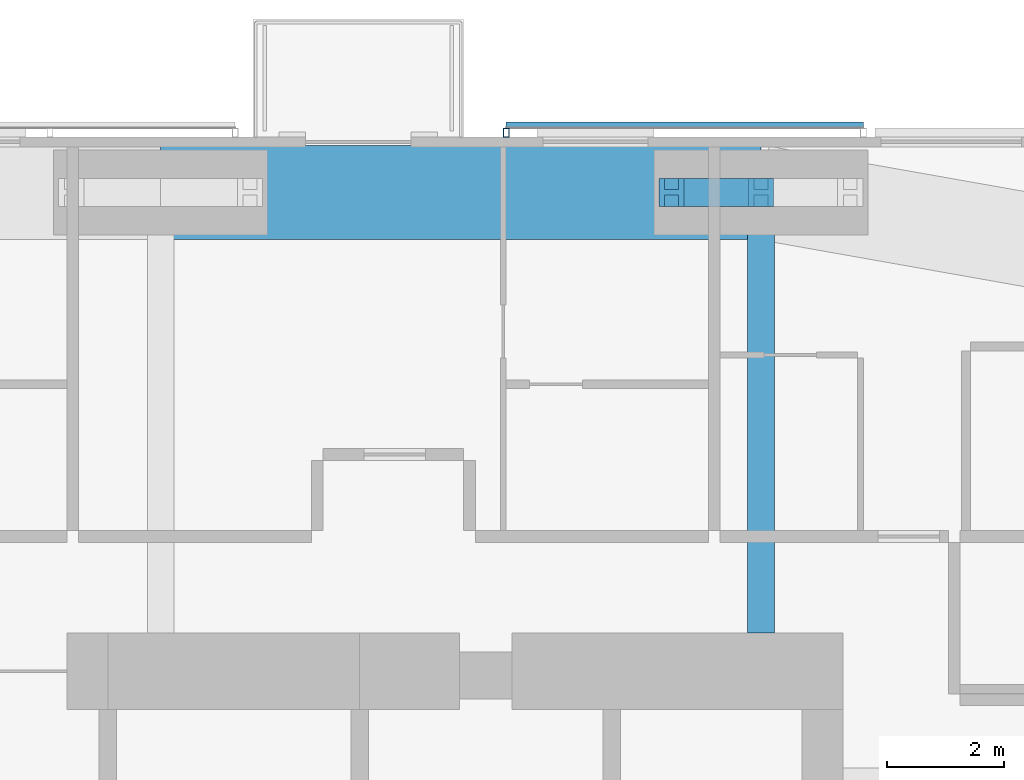
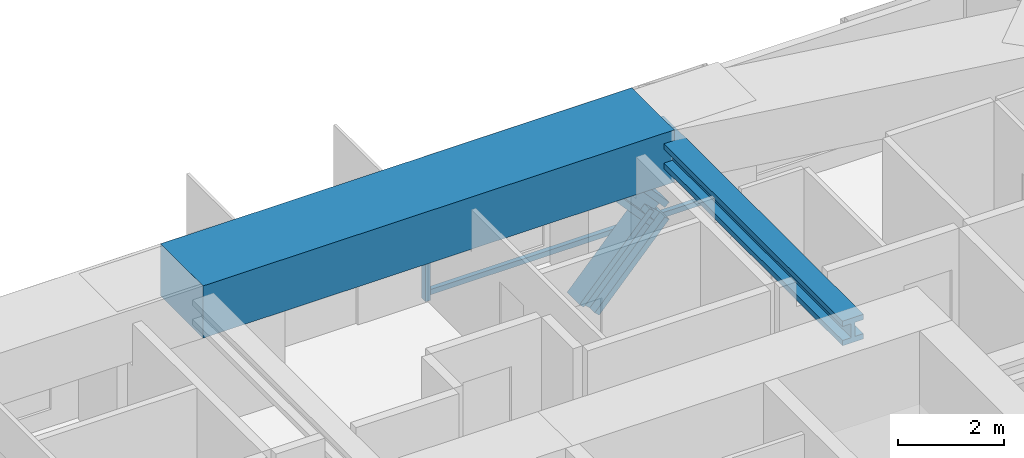
# One storey, part 13 of 23: 4 members, 2 beams, 1 element without a shape of its own.
"""IFC4 building model written with IfcOpenShell, lengths in metres."""

from ifc_helpers import new_model, si_unit, direction, frame, origin, origin_2d, place, context, subcontext, project, spatial, rectangle, hollow_rectangle, i_section, extrude, material, material_profile, profile_set, type_object, element, aggregate, save


model = new_model("IFC4")

# Units and contexts
model_context = context("Model", 3, precision=1e-05, world=origin(), true_north=direction((0.0, 1.0)))
body_context = subcontext(model_context, "Body", "Model", "MODEL_VIEW")
ifc_project = project(units=[si_unit("LENGTHUNIT", "METRE"), si_unit("AREAUNIT", "SQUARE_METRE"), si_unit("VOLUMEUNIT", "CUBIC_METRE"), si_unit("PLANEANGLEUNIT", "RADIAN"), si_unit("MASSUNIT", "GRAM", prefix="KILO")], contexts=[model_context])

# Site, building, storey
site_placement = place(None, origin())
site = spatial("IfcSite", under=ifc_project, at=site_placement, CompositionType="ELEMENT")
building_placement = place(site_placement, origin())
building = spatial("IfcBuilding", under=site, at=building_placement, Name="Jalousie Tower", CompositionType="ELEMENT")
storey_placement = place(building_placement, frame((0.0, 0.0, 191.199951171875)))
storey = spatial("IfcBuildingStorey", under=building, at=storey_placement, Name="L52", CompositionType="ELEMENT", Elevation=191.199951171875)

# Beam
ifc_material_1 = material(Name="Steel ASTM A992 Grade 50", Category="steel")
ifc_material_profile_1 = material_profile(ifc_material_1, i_section(OverallWidth=0.45458984375, OverallDepth=0.569091796875, WebThickness=0.077880859375, FlangeThickness=0.124755859375, at=origin_2d()), Name="W14X730")
ifc_profile_set_1 = profile_set([ifc_material_profile_1], Name="Steel ASTM A992 Grade 50")
beam_type_1 = type_object("IfcBeamType", Name="LEAN COLLECTOR W14X730", PredefinedType="BEAM", material=ifc_profile_set_1)
beam_1_placement = place(storey_placement, frame((42.75, 35.050048828125, 2.825439453125), z_axis=(0.0, -1.0, 0.0), x_axis=(1.0, 0.0, 0.0)))
element("IfcBeam", 1, at=beam_1_placement, inside=storey, type_object=beam_type_1, Name="Lean collector under L53", PredefinedType="BEAM", context=body_context, shape_type="SweptSolid", body=[
    extrude(i_section(OverallWidth=0.45458984375, OverallDepth=0.569091796875, WebThickness=0.077880859375, FlangeThickness=0.124755859375, at=origin_2d()), origin(), (0.0, 0.0, 1.0), 7.525146484375),
])

# Members
ifc_material_2 = material(Name="Steel ASTM A992 Grade 50", Category="steel")
ifc_material_profile_2 = material_profile(ifc_material_2, i_section(OverallWidth=0.472412109375, OverallDepth=0.5791015625, WebThickness=0.094970703125, FlangeThickness=0.1298828125, at=origin_2d()), Name="W14X808")
ifc_profile_set_2 = profile_set([ifc_material_profile_2], Name="Steel ASTM A992 Grade 50")
member_type_1 = type_object("IfcMemberType", Name="PERIMETER BRACE W14X808", PredefinedType="BRACE", material=ifc_profile_set_2)
for number, where, z_axis, x_axis, name in (
    (2, (41.22509765625, 35.050048828125, -0.599853515625), (0.673241284601, 0.0, 0.739422864611), (0.0, 1.0, 0.0), "Perimeter brace 09 L52 part 1"),
    (3, (42.75, 35.050048828125, 1.074951171875), (-0.673187629365, 0.0, 0.739471713908), (0.0, -1.0, 0.0), "Perimeter brace 09 L52 part 4"),
):
    element("IfcMember", number, at=place(storey_placement, frame(where, z_axis=z_axis, x_axis=x_axis)), inside=storey, type_object=member_type_1, Name=name, PredefinedType="BRACE", context=body_context, shape_type="SweptSolid", body=[
        extrude(i_section(OverallWidth=0.472412109375, OverallDepth=0.5791015625, WebThickness=0.094970703125, FlangeThickness=0.1298828125, at=origin_2d()), origin(), (0.0, 0.0, 1.0), 2.26513671875),
    ])

# Beam
ifc_material_3 = material(Name="Concrete f'c 40 MPa", Category="concrete")
ifc_material_profile_3 = material_profile(ifc_material_3, rectangle(XDim=1.60009765625, YDim=1.199951171875, at=origin_2d()), Name="RC 1600x1200")
ifc_profile_set_3 = profile_set([ifc_material_profile_3], Name="Concrete f'c 40 MPa")
beam_type_2 = type_object("IfcBeamType", Name="RC BEAM 1600x1200", PredefinedType="BEAM", material=ifc_profile_set_3)
beam_2_placement = place(storey_placement, frame((42.75, 35.050048828125, 2.75), z_axis=(-1.0, 0.0, 0.0), x_axis=(0.0, -1.0, 0.0)))
element("IfcBeam", 4, at=beam_2_placement, inside=storey, type_object=beam_type_2, Name="Edge band beam 09-10 under L53", PredefinedType="BEAM", context=body_context, shape_type="SweptSolid", body=[
    extrude(rectangle(XDim=1.60009765625, YDim=1.199951171875, at=origin_2d()), origin(), (0.0, 0.0, 1.0), 10.25),
])

# Curtain wall, members
ifc_material_4 = material(Name="Perforated aluminium sheet", Category="aluminium")
curtain_wall_type = type_object("IfcCurtainWallType", Name="SOLAR SCREEN SS-1", PredefinedType="USERDEFINED", material=ifc_material_4)
curtain_wall_placement = place(storey_placement, origin())
curtain_wall = element("IfcCurtainWall", 5, at=curtain_wall_placement, inside=storey, type_object=curtain_wall_type, Name="Solar screen L52", ObjectType="SOLAR SCREEN SS-1", PredefinedType="USERDEFINED")
ifc_material_5 = material(Name="Steel ASTM A500 Grade C", Category="steel")
ifc_material_profile_4 = material_profile(ifc_material_5, hollow_rectangle(XDim=0.1015625, YDim=0.15234375, WallThickness=0.00634765625, at=origin_2d()), Name="HSS6X4X1/4")
ifc_profile_set_4 = profile_set([ifc_material_profile_4], Name="Steel ASTM A500 Grade C")
member_type_2 = type_object("IfcMemberType", Name="SOLAR SCREEN SS-1 MULLION", PredefinedType="MULLION", material=ifc_profile_set_4)
member_1_placement = place(storey_placement, frame((38.39990234375, 36.0712890625, -0.119873046875), z_axis=(0.0, 0.0, 1.0), x_axis=(-1.0, 0.0, 0.0)))
member_1 = element("IfcMember", 6, at=member_1_placement, type_object=member_type_2, Name="SS1 post 2", PredefinedType="MULLION", context=body_context, shape_type="SweptSolid", body=[
    extrude(hollow_rectangle(XDim=0.1015625, YDim=0.15234375, WallThickness=0.00634765625, at=origin_2d()), origin(), (0.0, 0.0, 1.0), 3.22998046875),
])
ifc_material_6 = material(Name="Extruded aluminium screen rail", Category="aluminium")
ifc_material_profile_5 = material_profile(ifc_material_6, rectangle(XDim=0.1015625, YDim=0.1201171875, at=origin_2d()), Name="RAIL 102x120")
ifc_profile_set_5 = profile_set([ifc_material_profile_5], Name="Extruded aluminium screen rail")
member_type_3 = type_object("IfcMemberType", Name="SOLAR SCREEN SS-1 TRANSOM", PredefinedType="USERDEFINED", material=ifc_profile_set_5)
member_2_placement = place(storey_placement, frame((44.499267578125, 36.1982421875, -0.06005859375), z_axis=(-1.0, 0.0, 0.0), x_axis=(0.0, -1.0, 0.0)))
member_2 = element("IfcMember", 7, at=member_2_placement, type_object=member_type_3, Name="SS1 rail", ObjectType="TRANSOM", PredefinedType="USERDEFINED", context=body_context, shape_type="SweptSolid", body=[
    extrude(rectangle(XDim=0.1015625, YDim=0.1201171875, at=origin_2d()), origin(), (0.0, 0.0, 1.0), 6.099365234375),
])
aggregate(curtain_wall, [member_1, member_2])

save(model, "model.ifc")
